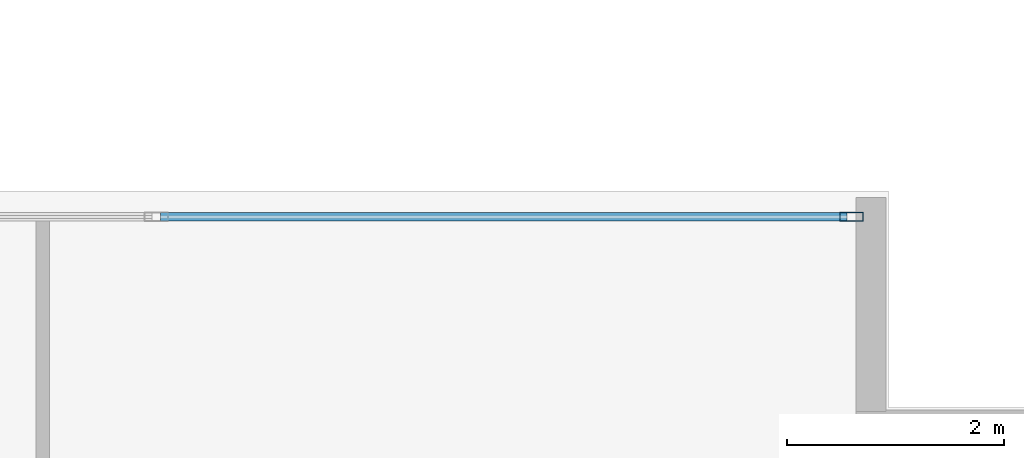
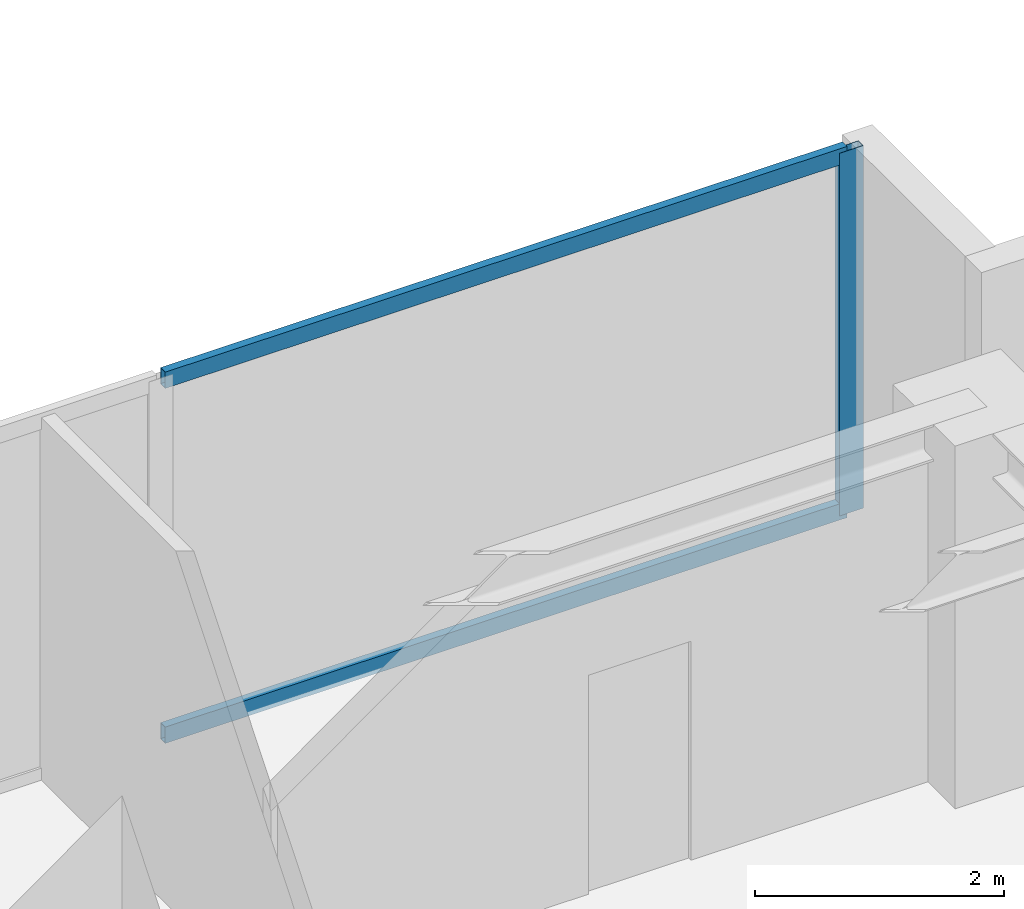
# One storey, part 15 of 28: 3 members, 1 element without a shape of its own.
"""IFC4 building model written with IfcOpenShell, lengths in metres."""

from ifc_helpers import new_model, si_unit, direction, frame, origin, origin_with_axes, origin_2d, place, context, subcontext, project, spatial, hollow_rectangle, extrude, source, transform, mapped, material, layer, layer_set, material_profile, profile_set, type_object, element, aggregate, save


model = new_model("IFC4")

# Units and contexts
model_context = context("Model", 3, precision=1e-05, world=origin(), true_north=direction((0.0, 1.0)))
body_context = subcontext(model_context, "Body", "Model", "MODEL_VIEW")
ifc_project = project(units=[si_unit("LENGTHUNIT", "METRE"), si_unit("AREAUNIT", "SQUARE_METRE"), si_unit("VOLUMEUNIT", "CUBIC_METRE"), si_unit("PLANEANGLEUNIT", "RADIAN"), si_unit("MASSUNIT", "GRAM", prefix="KILO")], contexts=[model_context])

# Site, building, storey
site_placement = place(None, origin())
site = spatial("IfcSite", under=ifc_project, at=site_placement, CompositionType="ELEMENT")
building_placement = place(site_placement, origin())
building = spatial("IfcBuilding", under=site, at=building_placement, Name="Kolvaren Waterfront Exchange", CompositionType="ELEMENT")
storey_placement = place(building_placement, frame((0.0, 0.0, 146.199951171875)))
storey = spatial("IfcBuildingStorey", under=building, at=storey_placement, Name="L37", CompositionType="ELEMENT", Elevation=146.199951171875)

# Curtain wall, members
ifc_material_1 = material(Name="Anodised bronze aluminium 6063-T6", Category="aluminium")
ifc_layer = layer(ifc_material_1, 0.219970703125, Name="Anodised bronze aluminium 6063-T6")
ifc_layer_set = layer_set([ifc_layer], Name="Anodised bronze aluminium 6063-T6")
curtain_wall_type = type_object("IfcCurtainWallType", Name="ARC-CW-SYS1", PredefinedType="USERDEFINED", material=ifc_layer_set)
curtain_wall_placement = place(storey_placement, origin())
curtain_wall = element("IfcCurtainWall", 1, at=curtain_wall_placement, inside=storey, type_object=curtain_wall_type, Name="L37 stick curtain wall CW1 (CW-L37-EN)", ObjectType="STICK CURTAIN WALL", PredefinedType="USERDEFINED")
ifc_material_2 = material(Name="Anodised aluminium 6063-T6", Category="aluminium")
ifc_material_profile_1 = material_profile(ifc_material_2, hollow_rectangle(XDim=0.080078125, YDim=0.219970703125, WallThickness=0.0048828125, at=origin_2d()), Name="ALU-MUL-220x80x5")
ifc_profile_set_1 = profile_set([ifc_material_profile_1], Name="Anodised aluminium 6063-T6")
member_type_1 = type_object("IfcMemberType", Name="ARC-CWM-220", PredefinedType="MULLION", material=ifc_profile_set_1)
shared_shape_1 = source(origin_with_axes(), body_context, "Body", "SweptSolid", [
    extrude(hollow_rectangle(XDim=0.080078125, YDim=0.219970703125, WallThickness=0.0048828125, at=origin_2d()), origin(), (0.0, 0.0, 1.0), 3.56005859375),
])
member_1_placement = place(storey_placement, frame((54.659912109375, 20.9599609375, 0.0), z_axis=(0.0, 0.0, 1.0), x_axis=(0.0, 1.0, 0.0)))
member_1 = element("IfcMember", 2, at=member_1_placement, type_object=member_type_1, Name="CW1 mullion 5", PredefinedType="MULLION", context=body_context, shape_type="MappedRepresentation", body=[
    mapped(shared_shape_1, transform((0.0, 0.0, 0.0), x_axis=(1.0, 0.0, 0.0), y_axis=(0.0, 1.0, 0.0), z_axis=(0.0, 0.0, 1.0), scale=1.0)),
])
ifc_material_profile_2 = material_profile(ifc_material_2, hollow_rectangle(XDim=0.074951171875, YDim=0.159912109375, WallThickness=0.00439453125, at=origin_2d()), Name="ALU-TRN-160x75x4.5")
ifc_profile_set_2 = profile_set([ifc_material_profile_2], Name="Anodised aluminium 6063-T6")
member_type_2 = type_object("IfcMemberType", Name="ARC-CWT-160", PredefinedType="USERDEFINED", material=ifc_profile_set_2)
shared_shape_2 = source(origin_with_axes(), body_context, "Body", "SweptSolid", [
    extrude(hollow_rectangle(XDim=0.074951171875, YDim=0.159912109375, WallThickness=0.00439453125, at=origin_2d()), origin(), (0.0, 0.0, 1.0), 6.33251953125),
])
member_2_placement = place(storey_placement, frame((48.28759765625, 20.9599609375, 0.03759765625), z_axis=(1.0, 0.0, 0.0), x_axis=(0.0, 1.0, 0.0)))
member_2 = element("IfcMember", 3, at=member_2_placement, type_object=member_type_2, Name="CW1 transom 4.1", ObjectType="TRANSOM", PredefinedType="USERDEFINED", context=body_context, shape_type="MappedRepresentation", body=[
    mapped(shared_shape_2, transform((0.0, 0.0, 0.0), x_axis=(1.0, 0.0, 0.0), y_axis=(0.0, 1.0, 0.0), z_axis=(0.0, 0.0, 1.0), scale=1.0)),
])
member_3_placement = place(storey_placement, frame((48.28759765625, 20.9599609375, 3.5224609375), z_axis=(1.0, 0.0, 0.0), x_axis=(0.0, 1.0, 0.0)))
member_3 = element("IfcMember", 4, at=member_3_placement, type_object=member_type_2, Name="CW1 transom 4.2", ObjectType="TRANSOM", PredefinedType="USERDEFINED", context=body_context, shape_type="MappedRepresentation", body=[
    mapped(shared_shape_2, transform((0.0, 0.0, 0.0), x_axis=(1.0, 0.0, 0.0), y_axis=(0.0, 1.0, 0.0), z_axis=(0.0, 0.0, 1.0), scale=1.0)),
])
aggregate(curtain_wall, [member_1, member_2, member_3])

save(model, "model.ifc")
